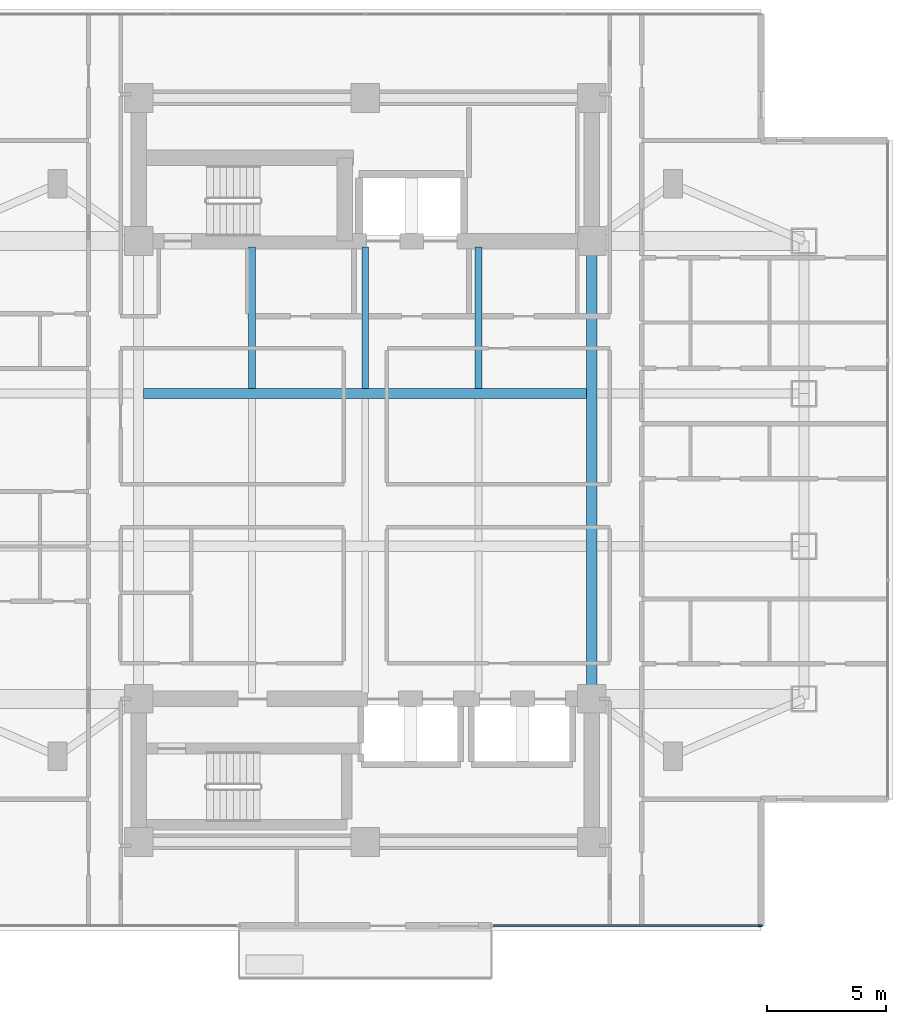
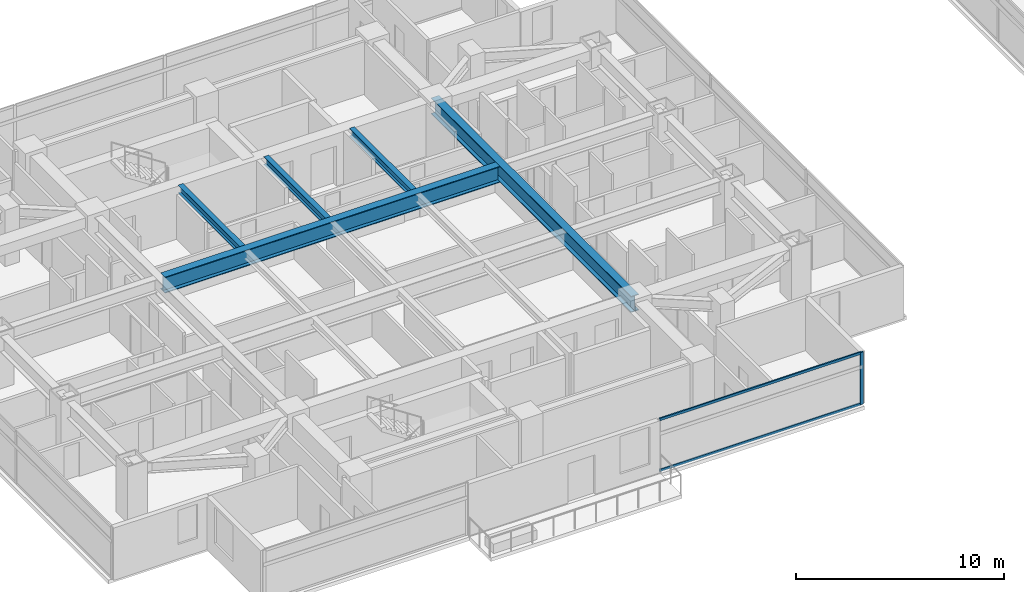
# One storey, part 4 of 26: 5 beams, 3 members, 1 element without a shape of its own.
"""IFC4 building model written with IfcOpenShell, lengths in metres."""

from ifc_helpers import new_model, si_unit, direction, frame, origin, origin_2d, place, context, subcontext, project, spatial, rectangle, i_section, extrude, material, material_profile, profile_set, type_object, element, aggregate, save


model = new_model("IFC4")

# Units and contexts
model_context = context("Model", 3, precision=1e-05, world=origin(), true_north=direction((0.0, 1.0)))
body_context = subcontext(model_context, "Body", "Model", "MODEL_VIEW")
ifc_project = project(units=[si_unit("LENGTHUNIT", "METRE"), si_unit("AREAUNIT", "SQUARE_METRE"), si_unit("VOLUMEUNIT", "CUBIC_METRE"), si_unit("PLANEANGLEUNIT", "RADIAN"), si_unit("MASSUNIT", "GRAM", prefix="KILO")], contexts=[model_context])

# Site, building, storey
site_placement = place(None, origin())
site = spatial("IfcSite", under=ifc_project, at=site_placement, CompositionType="ELEMENT")
building_placement = place(site_placement, origin())
building = spatial("IfcBuilding", under=site, at=building_placement, Name="Mirazonda Arch Towers", CompositionType="ELEMENT")
storey_placement = place(building_placement, frame((0.0, 0.0, 108.199951171875)))
storey = spatial("IfcBuildingStorey", under=building, at=storey_placement, Name="L30", CompositionType="ELEMENT", Elevation=108.199951171875)

# Beams
ifc_material_1 = material(Name="Steel ASTM A992 Grade 50", Category="steel")
ifc_material_profile_1 = material_profile(ifc_material_1, i_section(OverallWidth=0.280029296875, OverallDepth=0.462890625, WebThickness=0.0107421875, FlangeThickness=0.017333984375, at=origin_2d()), Name="W18X76")
ifc_profile_set_1 = profile_set([ifc_material_profile_1], Name="Steel ASTM A992 Grade 50")
beam_type_1 = type_object("IfcBeamType", Name="BM-INT-W18X76", PredefinedType="JOIST", material=ifc_profile_set_1)
for number, where, z_axis, x_axis, name in (
    (1, (15.75, 31.407470703125, 2.8486328125), (0.0, 1.0, 0.0), (-1.0, 0.0, 0.0), "L30 Floor Beam BM-T1-L30-J-157-31"),
    (2, (20.5, 31.407470703125, 2.8486328125), (0.0, 1.0, 0.0), (-1.0, 0.0, 0.0), "L30 Floor Beam BM-T1-L30-J-205-31"),
    (3, (25.25, 31.407470703125, 2.8486328125), (0.0, 1.0, 0.0), (-1.0, 0.0, 0.0), "L30 Floor Beam BM-T1-L30-J-252-31"),
):
    element("IfcBeam", number, at=place(storey_placement, frame(where, z_axis=z_axis, x_axis=x_axis)), inside=storey, type_object=beam_type_1, Name=name, PredefinedType="JOIST", context=body_context, shape_type="SweptSolid", body=[
        extrude(i_section(OverallWidth=0.280029296875, OverallDepth=0.462890625, WebThickness=0.0107421875, FlangeThickness=0.017333984375, at=origin_2d()), origin(), (0.0, 0.0, 1.0), 5.95263671875),
    ])
ifc_material_profile_2 = material_profile(ifc_material_1, i_section(OverallWidth=0.423095703125, OverallDepth=0.947998046875, WebThickness=0.02392578125, FlangeThickness=0.042724609375, at=origin_2d()), Name="W36X302")
ifc_profile_set_2 = profile_set([ifc_material_profile_2], Name="Steel ASTM A992 Grade 50")
beam_type_2 = type_object("IfcBeamType", Name="BM-INT-W36X302", PredefinedType="USERDEFINED", material=ifc_profile_set_2)
beam_1_placement = place(storey_placement, frame((11.21142578125, 31.199951171875, 2.60595703125), z_axis=(1.0, 0.0, 0.0), x_axis=(0.0, 1.0, 0.0)))
element("IfcBeam", 4, at=beam_1_placement, inside=storey, type_object=beam_type_2, Name="L30 Floor Beam BM-T1-L30-GC3", ObjectType="GIRDER", PredefinedType="USERDEFINED", context=body_context, shape_type="SweptSolid", body=[
    extrude(i_section(OverallWidth=0.423095703125, OverallDepth=0.947998046875, WebThickness=0.02392578125, FlangeThickness=0.042724609375, at=origin_2d()), origin(), (0.0, 0.0, 1.0), 18.5771484375),
])
beam_2_placement = place(storey_placement, frame((30.0, 18.39990234375, 2.60595703125), z_axis=(0.0, 1.0, 0.0), x_axis=(-1.0, 0.0, 0.0)))
element("IfcBeam", 5, at=beam_2_placement, inside=storey, type_object=beam_type_2, Name="L30 Floor Beam BM-T1-L30-NS-CE-FULL", ObjectType="GIRDER", PredefinedType="USERDEFINED", context=body_context, shape_type="SweptSolid", body=[
    extrude(i_section(OverallWidth=0.423095703125, OverallDepth=0.947998046875, WebThickness=0.02392578125, FlangeThickness=0.042724609375, at=origin_2d()), origin(), (0.0, 0.0, 1.0), 19.2001953125),
])

# Curtain wall, members
ifc_material_2 = material(Name="Anodised Aluminium and Low-E Glass", Category="aluminium")
curtain_wall_type = type_object("IfcCurtainWallType", Name="CW-HTL-UNIT", PredefinedType="NOTDEFINED", material=ifc_material_2)
curtain_wall_placement = place(storey_placement, origin())
curtain_wall = element("IfcCurtainWall", 6, at=curtain_wall_placement, inside=storey, type_object=curtain_wall_type, Name="L30 Curtain Wall CW-L30-T1-SA", PredefinedType="NOTDEFINED")
ifc_material_3 = material(Name="Anodised Aluminium Alloy", Category="aluminium")
ifc_material_profile_3 = material_profile(ifc_material_3, rectangle(XDim=0.074951171875, YDim=0.1650390625, at=origin_2d()), Name="ALU-MULL-75x165")
ifc_profile_set_3 = profile_set([ifc_material_profile_3], Name="Anodised Aluminium Alloy")
member_type_1 = type_object("IfcMemberType", Name="MULL-CW-HTL-UNIT", PredefinedType="MULLION", material=ifc_profile_set_3)
member_1_placement = place(storey_placement, frame((37.0673828125, 8.882080078125, 0.0), z_axis=(0.0, 0.0, 1.0), x_axis=(0.0, -1.0, 0.0)))
member_1 = element("IfcMember", 7, at=member_1_placement, type_object=member_type_1, Name="CW-112 mullion 1", PredefinedType="MULLION", context=body_context, shape_type="SweptSolid", body=[
    extrude(rectangle(XDim=0.074951171875, YDim=0.1650390625, at=origin_2d()), origin(), (0.0, 0.0, 1.0), 3.06005859375),
])
ifc_material_profile_4 = material_profile(ifc_material_3, rectangle(XDim=0.074951171875, YDim=0.14501953125, at=origin_2d()), Name="ALU-TRAN-75x145")
ifc_profile_set_4 = profile_set([ifc_material_profile_4], Name="Anodised Aluminium Alloy")
member_type_2 = type_object("IfcMemberType", Name="TRAN-CW-HTL-UNIT", PredefinedType="USERDEFINED", material=ifc_profile_set_4)
member_2_placement = place(storey_placement, frame((37.030029296875, 8.882080078125, 0.03759765625), z_axis=(-1.0, 0.0, 0.0), x_axis=(0.0, -1.0, 0.0)))
member_2 = element("IfcMember", 8, at=member_2_placement, type_object=member_type_2, Name="CW-112 transom 1.1", ObjectType="TRANSOM", PredefinedType="USERDEFINED", context=body_context, shape_type="SweptSolid", body=[
    extrude(rectangle(XDim=0.074951171875, YDim=0.14501953125, at=origin_2d()), origin(), (0.0, 0.0, 1.0), 11.1650390625),
])
member_3_placement = place(storey_placement, frame((37.030029296875, 8.882080078125, 3.0224609375), z_axis=(-1.0, 0.0, 0.0), x_axis=(0.0, -1.0, 0.0)))
member_3 = element("IfcMember", 9, at=member_3_placement, type_object=member_type_2, Name="CW-112 transom 1.2", ObjectType="TRANSOM", PredefinedType="USERDEFINED", context=body_context, shape_type="SweptSolid", body=[
    extrude(rectangle(XDim=0.074951171875, YDim=0.14501953125, at=origin_2d()), origin(), (0.0, 0.0, 1.0), 11.1650390625),
])
aggregate(curtain_wall, [member_1, member_2, member_3])

save(model, "model.ifc")
